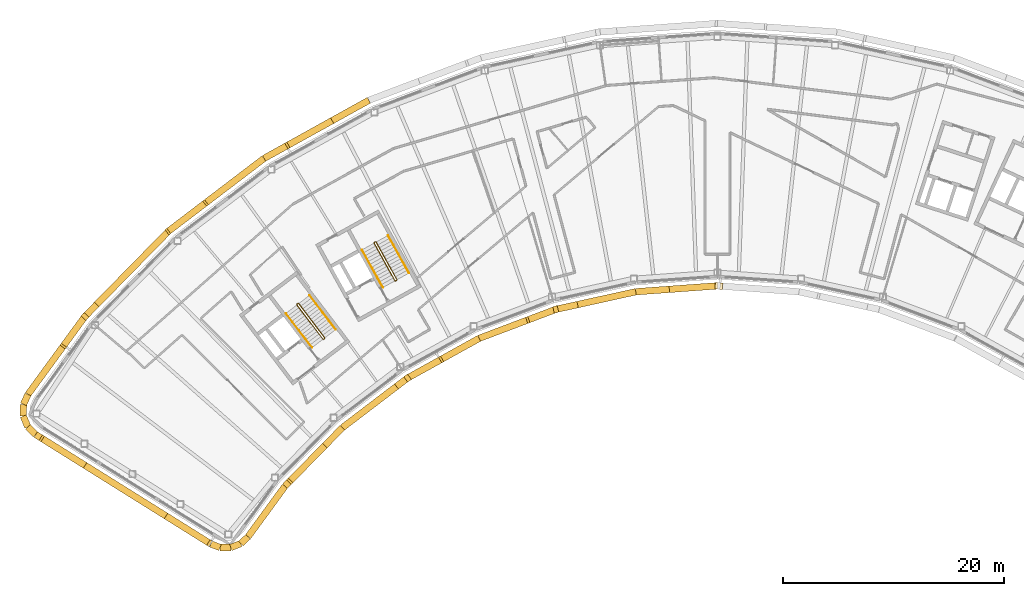
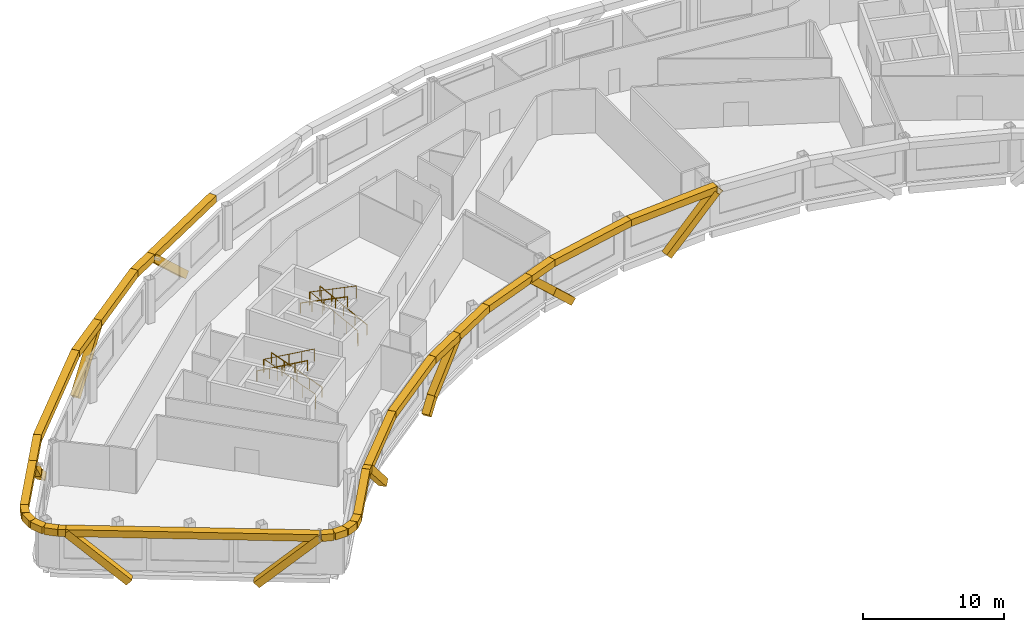
# One storey, part 14 of 17: 40 coverings, 6 railings.
"""IFC4 building model written with IfcOpenShell, lengths in metres."""

import ifcopenshell
import ifcopenshell.guid

model = None  # the IFC model being written
_history = None  # IfcOwnerHistory: only IFC2X3 demands one
_inside = {}  # id of a spatial element -> (the spatial element, [elements in it])
_under = {}  # id of a project, library or spatial element -> (it, [spatial elements below it])
_declared = {}  # id of a project -> (the project, [libraries it declares])
_typed = {}  # id of a type object -> (the type object, [elements of that type])
_made_of = {}  # id of a material, layer set ... -> (it, [elements and type objects made of it])


def new_model(schema):
    """Start an empty IFC model of exactly this schema.

    Asked for "IFC4X3", IfcOpenShell would pick the latest addendum, in which some entities
    have other attributes; the version numbers below select the first issue.
    IFC2X3 requires an IfcOwnerHistory on every rooted entity: one is made here for all.
    """
    global model, _history
    if schema == "IFC4X3":
        model = ifcopenshell.file(schema_version=(4, 3, 0, 0))
    else:
        model = ifcopenshell.file(schema=schema)
    _inside.clear()
    _under.clear()
    _declared.clear()
    _typed.clear()
    _made_of.clear()
    _history = None
    if model.schema == "IFC2X3":
        org = make("IfcOrganization", Name="unknown")
        user = make(
            "IfcPersonAndOrganization",
            ThePerson=make("IfcPerson", FamilyName="unknown"),
            TheOrganization=org,
        )
        app = make(
            "IfcApplication",
            ApplicationDeveloper=org,
            Version="unknown",
            ApplicationFullName="unknown",
            ApplicationIdentifier="unknown",
        )
        _history = make(
            "IfcOwnerHistory",
            OwningUser=user,
            OwningApplication=app,
            ChangeAction="ADDED",
            CreationDate=0,
        )
    return model


def make(cls, **values):
    """One entity of the class cls with the attributes given. An attribute that is None is left unset."""
    return model.create_entity(
        cls, **{name: value for name, value in values.items() if value is not None}
    )


def rooted(cls, **values):
    """An entity with a GlobalId (a new one), such as an element, a storey or a relation."""
    return make(cls, GlobalId=ifcopenshell.guid.new(), OwnerHistory=_history, **values)


def si_unit(unit_type, name, prefix=None):
    """IfcSIUnit, for example si_unit("LENGTHUNIT", "METRE", prefix="MILLI")."""
    return make("IfcSIUnit", UnitType=unit_type, Prefix=prefix, Name=name)


def assignment(units):
    """IfcUnitAssignment: the units of a project."""
    return None if units is None else make("IfcUnitAssignment", Units=units)


def point(xyz):
    """IfcCartesianPoint."""
    return None if xyz is None else make("IfcCartesianPoint", Coordinates=xyz)


def direction(xyz):
    """IfcDirection."""
    return None if xyz is None else make("IfcDirection", DirectionRatios=xyz)


def frame(location, z_axis=None, x_axis=None):
    """IfcAxis2Placement3D, a coordinate frame: its origin and axes. An axis left out is left unset."""
    return make(
        "IfcAxis2Placement3D",
        Location=point(location),
        Axis=direction(z_axis),
        RefDirection=direction(x_axis),
    )


def frame_2d(location, x_axis=None):
    """IfcAxis2Placement2D, a coordinate frame in the plane: its origin and x axis."""
    return make(
        "IfcAxis2Placement2D", Location=point(location), RefDirection=direction(x_axis)
    )


def origin():
    """The frame at (0, 0, 0) with its axes left unset."""
    return frame((0.0, 0.0, 0.0))


def origin_2d():
    """The frame at (0, 0) in the plane with its x axis left unset."""
    return frame_2d((0.0, 0.0))


def place(relative_to, where):
    """IfcLocalPlacement: puts the frame where relative to a parent placement (None: the world)."""
    return make(
        "IfcLocalPlacement", PlacementRelTo=relative_to, RelativePlacement=where
    )


def context(
    kind, dimensions, precision=None, world=None, true_north=None, identifier=None
):
    """IfcGeometricRepresentationContext, for example the 3D "Model" context."""
    return make(
        "IfcGeometricRepresentationContext",
        ContextIdentifier=identifier,
        ContextType=kind,
        CoordinateSpaceDimension=dimensions,
        Precision=precision,
        WorldCoordinateSystem=world,
        TrueNorth=true_north,
    )


def subcontext(parent, identifier, kind, view, scale=None):
    """IfcGeometricRepresentationSubContext, for example "Body" below "Model"."""
    return make(
        "IfcGeometricRepresentationSubContext",
        ContextIdentifier=identifier,
        ContextType=kind,
        ParentContext=parent,
        TargetScale=scale,
        TargetView=view,
    )


def project(units=None, contexts=None):
    """IfcProject with its units and contexts."""
    return rooted(
        "IfcProject",
        Name="project",
        RepresentationContexts=contexts,
        UnitsInContext=assignment(units),
    )


def spatial(cls, under=None, at=None, **own):
    """A site, building, storey or space (cls), placed at a placement, below another one or the project."""
    s = rooted(cls, ObjectPlacement=at, **own)
    if under is not None:
        _under.setdefault(under.id(), (under, []))[1].append(s)
    return s


def profile(cls, at=None, kind="AREA", **sizes):
    """A parametric profile (cls). Its sizes go by their IFC names, for example OverallWidth=200.0."""
    return make(cls, ProfileType=kind, Position=at, **sizes)


def rectangle(**sizes):
    """IfcRectangleProfileDef."""
    return profile("IfcRectangleProfileDef", **sizes)


def circle(**sizes):
    """IfcCircleProfileDef."""
    return profile("IfcCircleProfileDef", **sizes)


def extrude(swept, where, along, depth):
    """IfcExtrudedAreaSolid: the profile swept, set in the frame where, extruded along a direction by depth."""
    return make(
        "IfcExtrudedAreaSolid",
        SweptArea=swept,
        Position=where,
        ExtrudedDirection=direction(along),
        Depth=depth,
    )


def shape(context_of_items, identifier, shape_type, items):
    """IfcShapeRepresentation: the items that make up one representation, for example the "Body"."""
    return make(
        "IfcShapeRepresentation",
        ContextOfItems=context_of_items,
        RepresentationIdentifier=identifier,
        RepresentationType=shape_type,
        Items=items,
    )


def material(Name=None, Category=None):
    """IfcMaterial."""
    return make("IfcMaterial", Name=Name, Category=Category)


def material_profile(
    of_material, cross_section, Name=None, Category=None, Priority=None
):
    """IfcMaterialProfile: a cross section and its material."""
    return make(
        "IfcMaterialProfile",
        Name=Name,
        Material=of_material,
        Profile=cross_section,
        Priority=Priority,
        Category=Category,
    )


def profile_set(profiles, Name=None, composite=None):
    """IfcMaterialProfileSet."""
    return make(
        "IfcMaterialProfileSet",
        Name=Name,
        MaterialProfiles=profiles,
        CompositeProfile=composite,
    )


def made_of(thing, what):
    """Note that an element or type object is made of a material, layer set ...; save() writes the relation."""
    if what is not None:
        _made_of.setdefault(what.id(), (what, []))[1].append(thing)
    return thing


def type_object(cls, material=None, **own):
    """A type object (cls), such as IfcWallType, which elements share."""
    return made_of(rooted(cls, **own), material)


def element(
    cls,
    number,
    at=None,
    inside=None,
    cuts=None,
    type_object=None,
    material=None,
    context=None,
    identifier="Body",
    shape_type=None,
    held_by="IfcProductDefinitionShape",
    body=None,
    shapes=None,
    **own,
):
    """One element of the class cls, such as IfcWall. Its Tag is "e" and its number.

    at: its placement. inside: the storey or other place that contains it. cuts: it is an
    opening in that element (IfcRelVoidsElement). A single representation is given by context,
    identifier, shape_type and body (its items); several are given by shapes. held_by: the class
    of the entity that holds the representations. save() writes the other relations.
    """
    e = rooted(cls, Tag="e%d" % number, ObjectPlacement=at, **own)
    if body is not None:
        shapes = [shape(context, identifier, shape_type, body)]
    if shapes is not None:
        e.Representation = make(held_by, Representations=shapes)
    if inside is not None:
        _inside.setdefault(inside.id(), (inside, []))[1].append(e)
    if cuts is not None:
        rooted(
            "IfcRelVoidsElement", RelatingBuildingElement=cuts, RelatedOpeningElement=e
        )
    if type_object is not None:
        _typed.setdefault(type_object.id(), (type_object, []))[1].append(e)
    return made_of(e, material)


def aggregate(whole, parts):
    """IfcRelAggregates: a whole, such as a stair, and the parts it consists of."""
    return rooted("IfcRelAggregates", RelatingObject=whole, RelatedObjects=parts)


def save(model, path):
    """Write the relations noted so far, then the file.

    IfcRelAggregates (storeys below a building ...), IfcRelContainedInSpatialStructure (elements
    in a storey), IfcRelDefinesByType, IfcRelAssociatesMaterial and IfcRelDeclares: one each for
    every whole, place, type object, material and project.
    """
    for whole, parts in _under.values():
        aggregate(whole, parts)
    for where, things in _inside.values():
        rooted(
            "IfcRelContainedInSpatialStructure",
            RelatedElements=things,
            RelatingStructure=where,
        )
    for kind, things in _typed.values():
        rooted("IfcRelDefinesByType", RelatedObjects=things, RelatingType=kind)
    for what, things in _made_of.values():
        rooted("IfcRelAssociatesMaterial", RelatedObjects=things, RelatingMaterial=what)
    for by, libraries in _declared.values():
        rooted("IfcRelDeclares", RelatingContext=by, RelatedDefinitions=libraries)
    model.write(path)


model = new_model("IFC4")

# Units and contexts
model_context = context("Model", 3, precision=1e-05, world=origin(), true_north=direction((0.0, 1.0)))
body_context = subcontext(model_context, "Body", "Model", "MODEL_VIEW")
ifc_project = project(units=[si_unit("LENGTHUNIT", "METRE"), si_unit("AREAUNIT", "SQUARE_METRE"), si_unit("VOLUMEUNIT", "CUBIC_METRE"), si_unit("PLANEANGLEUNIT", "RADIAN"), si_unit("MASSUNIT", "GRAM", prefix="KILO")], contexts=[model_context])

# Site, building, storey
site_placement = place(None, origin())
site = spatial("IfcSite", under=ifc_project, at=site_placement, CompositionType="ELEMENT")
building_placement = place(site_placement, origin())
building = spatial("IfcBuilding", under=site, at=building_placement, Name="Tuul Gate Civic Tower", CompositionType="ELEMENT")
storey_placement = place(building_placement, frame((0.0, 0.0, 344.89990234375)))
storey = spatial("IfcBuildingStorey", under=building, at=storey_placement, Name="Level 78", CompositionType="ELEMENT", Elevation=344.89990234375)

# Railings
ifc_material_1 = material(Name="Painted steel", Category="steel")
railing_type_1 = type_object("IfcRailingType", Name="Stair guard", PredefinedType="GUARDRAIL", material=ifc_material_1)
railing_1_placement = place(storey_placement, frame((-33.382080078125, -13.515380859375, 0.0)))
element("IfcRailing", 1, at=railing_1_placement, inside=storey, type_object=railing_type_1, Name="Level 78 ST-1 stair guard 1", PredefinedType="GUARDRAIL", context=body_context, shape_type="SweptSolid", body=[
    extrude(circle(Radius=0.02392578125, at=origin_2d()), frame((0.0, 0.0, 1.076171875), z_axis=(-0.795879841968, -0.605454603706, 0.0), x_axis=(0.605454603706, -0.795879841968, 0.0)), (0.0, 0.0, 1.0), 0.10009765625),
    extrude(circle(Radius=0.02392578125, at=origin_2d()), frame((-0.07958984375, -0.060546875, 1.076171875), z_axis=(0.408676696321, 0.599019267211, 0.688592241747), x_axis=(-0.826063974707, 0.563576356576, 0.0)), (0.0, 0.0, 1.0), 0.218017578125),
    extrude(circle(Radius=0.02392578125, at=origin_2d()), frame((0.009521484375, 0.070068359375, 1.22607421875), z_axis=(-0.541824460341, 0.711645023348, 0.447199748346), x_axis=(-0.795637165283, -0.60577347352, 0.0)), (0.0, 0.0, 1.0), 4.3603515625),
    extrude(circle(Radius=0.02392578125, at=origin_2d()), frame((-2.35302734375, 3.173095703125, 3.17626953125), z_axis=(-0.990893089246, 0.134650977284, 0.0), x_axis=(-0.134650977284, -0.990893089246, 0.0)), (0.0, 0.0, 1.0), 0.07080078125),
    extrude(circle(Radius=0.02392578125, at=origin_2d()), frame((-2.423095703125, 3.1826171875, 3.17626953125), z_axis=(-0.793802879778, -0.60817512943, 0.0), x_axis=(0.60817512943, -0.793802879778, 0.0)), (0.0, 0.0, 1.0), 0.099853515625),
    extrude(circle(Radius=0.02392578125, at=origin_2d()), frame((-2.50244140625, 3.121826171875, 3.17626953125), z_axis=(-0.057447065493, -0.422751481959, 0.904423031091), x_axis=(0.990893089246, -0.134650977284, 0.0)), (0.0, 0.0, 1.0), 0.165771484375),
    extrude(circle(Radius=0.02392578125, at=origin_2d()), frame((-2.511962890625, 3.0517578125, 3.326171875), z_axis=(0.541792925989, -0.711621155064, 0.447275929392), x_axis=(0.795644365679, 0.605764016233, 0.0)), (0.0, 0.0, 1.0), 4.360107421875),
    extrude(circle(Radius=0.02099609375, at=origin_2d()), origin(), (0.0, 0.0, 1.0), 1.052001953125),
    extrude(circle(Radius=0.02099609375, at=origin_2d()), frame((-0.07958984375, -0.060546875, 0.0)), (0.0, 0.0, 1.0), 1.052001953125),
    extrude(circle(Radius=0.02099609375, at=origin_2d()), frame((0.009521484375, 0.070068359375, 0.150146484375)), (0.0, 0.0, 1.0), 1.052001953125),
    extrude(circle(Radius=0.02099609375, at=origin_2d()), frame((-0.5810546875, 0.845703125, 0.6376953125)), (0.0, 0.0, 1.0), 1.052001953125),
    extrude(circle(Radius=0.02099609375, at=origin_2d()), frame((-1.171875, 1.62158203125, 1.125)), (0.0, 0.0, 1.0), 1.052001953125),
    extrude(circle(Radius=0.02099609375, at=origin_2d()), frame((-1.762451171875, 2.3974609375, 1.612548828125)), (0.0, 0.0, 1.0), 1.052001953125),
    extrude(circle(Radius=0.02099609375, at=origin_2d()), frame((-2.35302734375, 3.173095703125, 2.10009765625)), (0.0, 0.0, 1.0), 1.052001953125),
    extrude(circle(Radius=0.02099609375, at=origin_2d()), frame((-2.423095703125, 3.1826171875, 2.10009765625)), (0.0, 0.0, 1.0), 1.052001953125),
    extrude(circle(Radius=0.02099609375, at=origin_2d()), frame((-2.50244140625, 3.121826171875, 2.10009765625)), (0.0, 0.0, 1.0), 1.052001953125),
    extrude(circle(Radius=0.02099609375, at=origin_2d()), frame((-2.511962890625, 3.0517578125, 2.25)), (0.0, 0.0, 1.0), 1.052001953125),
    extrude(circle(Radius=0.02099609375, at=origin_2d()), frame((-1.92138671875, 2.276123046875, 2.737548828125)), (0.0, 0.0, 1.0), 1.052001953125),
    extrude(circle(Radius=0.02099609375, at=origin_2d()), frame((-1.330810546875, 1.50048828125, 3.22509765625)), (0.0, 0.0, 1.0), 1.052001953125),
    extrude(circle(Radius=0.02099609375, at=origin_2d()), frame((-0.740234375, 0.724609375, 3.712646484375)), (0.0, 0.0, 1.0), 1.052001953125),
    extrude(circle(Radius=0.02099609375, at=origin_2d()), frame((-0.149658203125, -0.051025390625, 4.2001953125)), (0.0, 0.0, 1.0), 1.052001953125),
])
railing_2_placement = place(storey_placement, frame((-26.857666015625, -8.247314453125, 0.0)))
element("IfcRailing", 2, at=railing_2_placement, inside=storey, type_object=railing_type_1, Name="Level 78 ST-2 stair guard 1", PredefinedType="GUARDRAIL", context=body_context, shape_type="SweptSolid", body=[
    extrude(circle(Radius=0.02392578125, at=origin_2d()), frame((0.0, 0.0, 1.076171875), z_axis=(-0.874616555828, -0.48481530532, 0.0), x_axis=(0.48481530532, -0.874616555828, 0.0)), (0.0, 0.0, 1.0), 0.10009765625),
    extrude(circle(Radius=0.02392578125, at=origin_2d()), frame((-0.087646484375, -0.048583984375, 1.076171875), z_axis=(0.490435707169, 0.534104639999, 0.688625479244), x_axis=(-0.736576986774, 0.676353711126, 0.0)), (0.0, 0.0, 1.0), 0.218017578125),
    extrude(circle(Radius=0.02392578125, at=origin_2d()), frame((0.019287109375, 0.06787109375, 1.22607421875), z_axis=(-0.43354991378, 0.782327185242, 0.447212083348), x_axis=(-0.874667644053, -0.484723129681, 0.0)), (0.0, 0.0, 1.0), 4.3603515625),
    extrude(circle(Radius=0.02392578125, at=origin_2d()), frame((-1.87109375, 3.47900390625, 3.17626953125), z_axis=(-0.961263487578, 0.275631107549, 0.0), x_axis=(-0.275631107549, -0.961263487578, 0.0)), (0.0, 0.0, 1.0), 0.07080078125),
    extrude(circle(Radius=0.02392578125, at=origin_2d()), frame((-1.939208984375, 3.49853515625, 3.17626953125), z_axis=(-0.874042088414, -0.485850211157, 0.0), x_axis=(0.485850211157, -0.874042088414, 0.0)), (0.0, 0.0, 1.0), 0.10009765625),
    extrude(circle(Radius=0.02392578125, at=origin_2d()), frame((-2.026611328125, 3.449951171875, 3.17626953125), z_axis=(-0.117866478395, -0.409586012422, 0.90462522168), x_axis=(0.961000426733, -0.276546885391, 0.0)), (0.0, 0.0, 1.0), 0.165771484375),
    extrude(circle(Radius=0.02392578125, at=origin_2d()), frame((-2.046142578125, 3.382080078125, 3.326171875), z_axis=(0.433584522764, -0.782288604346, 0.447246018574), x_axis=(0.874641102302, 0.484771020343, 0.0)), (0.0, 0.0, 1.0), 4.3603515625),
    extrude(circle(Radius=0.02099609375, at=origin_2d()), origin(), (0.0, 0.0, 1.0), 1.052001953125),
    extrude(circle(Radius=0.02099609375, at=origin_2d()), frame((-0.087646484375, -0.048583984375, 0.0)), (0.0, 0.0, 1.0), 1.052001953125),
    extrude(circle(Radius=0.02099609375, at=origin_2d()), frame((0.019287109375, 0.06787109375, 0.150146484375)), (0.0, 0.0, 1.0), 1.052001953125),
    extrude(circle(Radius=0.02099609375, at=origin_2d()), frame((-0.453369140625, 0.920654296875, 0.6376953125)), (0.0, 0.0, 1.0), 1.052001953125),
    extrude(circle(Radius=0.02099609375, at=origin_2d()), frame((-0.92578125, 1.7734375, 1.125)), (0.0, 0.0, 1.0), 1.052001953125),
    extrude(circle(Radius=0.02099609375, at=origin_2d()), frame((-1.3984375, 2.626220703125, 1.612548828125)), (0.0, 0.0, 1.0), 1.052001953125),
    extrude(circle(Radius=0.02099609375, at=origin_2d()), frame((-1.87109375, 3.47900390625, 2.10009765625)), (0.0, 0.0, 1.0), 1.052001953125),
    extrude(circle(Radius=0.02099609375, at=origin_2d()), frame((-1.939208984375, 3.49853515625, 2.10009765625)), (0.0, 0.0, 1.0), 1.052001953125),
    extrude(circle(Radius=0.02099609375, at=origin_2d()), frame((-2.026611328125, 3.449951171875, 2.10009765625)), (0.0, 0.0, 1.0), 1.052001953125),
    extrude(circle(Radius=0.02099609375, at=origin_2d()), frame((-2.046142578125, 3.382080078125, 2.25)), (0.0, 0.0, 1.0), 1.052001953125),
    extrude(circle(Radius=0.02099609375, at=origin_2d()), frame((-1.573486328125, 2.529296875, 2.737548828125)), (0.0, 0.0, 1.0), 1.052001953125),
    extrude(circle(Radius=0.02099609375, at=origin_2d()), frame((-1.100830078125, 1.676513671875, 3.22509765625)), (0.0, 0.0, 1.0), 1.052001953125),
    extrude(circle(Radius=0.02099609375, at=origin_2d()), frame((-0.628173828125, 0.82373046875, 3.712646484375)), (0.0, 0.0, 1.0), 1.052001953125),
    extrude(circle(Radius=0.02099609375, at=origin_2d()), frame((-0.155517578125, -0.029052734375, 4.2001953125)), (0.0, 0.0, 1.0), 1.052001953125),
])
ifc_material_2 = material(Name="Painted steel", Category="steel")
railing_type_2 = type_object("IfcRailingType", Name="Stair handrail", PredefinedType="HANDRAIL", material=ifc_material_2)
railing_3_placement = place(storey_placement, frame((-32.3779296875, -12.688232421875, 0.150146484375)))
element("IfcRailing", 3, at=railing_3_placement, inside=storey, type_object=railing_type_2, Name="Level 78 ST-1 stair handrail 1", PredefinedType="HANDRAIL", context=body_context, shape_type="SweptSolid", body=[
    extrude(circle(Radius=0.02392578125, at=origin_2d()), frame((0.0, 0.0, 0.8759765625), z_axis=(-0.541824460341, 0.711645023348, 0.447199748346), x_axis=(-0.795637165283, -0.60577347352, 0.0)), (0.0, 0.0, 1.0), 4.3603515625),
    extrude(circle(Radius=0.02099609375, at=origin_2d()), origin(), (0.0, 0.0, 1.0), 0.851806640625),
    extrude(circle(Radius=0.02099609375, at=origin_2d()), frame((-0.590576171875, 0.77587890625, 0.487548828125)), (0.0, 0.0, 1.0), 0.851806640625),
    extrude(circle(Radius=0.02099609375, at=origin_2d()), frame((-1.18115234375, 1.551513671875, 0.97509765625)), (0.0, 0.0, 1.0), 0.851806640625),
    extrude(circle(Radius=0.02099609375, at=origin_2d()), frame((-1.77197265625, 2.3271484375, 1.46240234375)), (0.0, 0.0, 1.0), 0.851806640625),
    extrude(circle(Radius=0.02099609375, at=origin_2d()), frame((-2.362548828125, 3.10302734375, 1.949951171875)), (0.0, 0.0, 1.0), 0.851806640625),
])
railing_4_placement = place(storey_placement, frame((-36.888671875, -11.220703125, 2.25)))
element("IfcRailing", 4, at=railing_4_placement, inside=storey, type_object=railing_type_2, Name="Level 78 ST-1 stair handrail 2", PredefinedType="HANDRAIL", context=body_context, shape_type="SweptSolid", body=[
    extrude(circle(Radius=0.02392578125, at=origin_2d()), frame((0.0, 0.0, 0.8759765625), z_axis=(0.541810893183, -0.711627203922, 0.44724454012), x_axis=(0.795637165283, 0.60577347352, 0.0)), (0.0, 0.0, 1.0), 4.3603515625),
    extrude(circle(Radius=0.02099609375, at=origin_2d()), origin(), (0.0, 0.0, 1.0), 0.851806640625),
    extrude(circle(Radius=0.02099609375, at=origin_2d()), frame((0.590576171875, -0.77587890625, 0.487548828125)), (0.0, 0.0, 1.0), 0.851806640625),
    extrude(circle(Radius=0.02099609375, at=origin_2d()), frame((1.18115234375, -1.551513671875, 0.97509765625)), (0.0, 0.0, 1.0), 0.851806640625),
    extrude(circle(Radius=0.02099609375, at=origin_2d()), frame((1.77197265625, -2.3271484375, 1.462646484375)), (0.0, 0.0, 1.0), 0.851806640625),
    extrude(circle(Radius=0.02099609375, at=origin_2d()), frame((2.362548828125, -3.10302734375, 1.9501953125)), (0.0, 0.0, 1.0), 0.851806640625),
])
railing_5_placement = place(storey_placement, frame((-25.744873046875, -7.573486328125, 0.150146484375)))
element("IfcRailing", 5, at=railing_5_placement, inside=storey, type_object=railing_type_2, Name="Level 78 ST-2 stair handrail 1", PredefinedType="HANDRAIL", context=body_context, shape_type="SweptSolid", body=[
    extrude(circle(Radius=0.02392578125, at=origin_2d()), frame((0.0, 0.0, 0.8759765625), z_axis=(-0.433595379963, 0.782308193291, 0.447201226726), x_axis=(-0.874641102302, -0.484771020343, 0.0)), (0.0, 0.0, 1.0), 4.3603515625),
    extrude(circle(Radius=0.02099609375, at=origin_2d()), origin(), (0.0, 0.0, 1.0), 0.851806640625),
    extrude(circle(Radius=0.02099609375, at=origin_2d()), frame((-0.47265625, 0.852783203125, 0.487548828125)), (0.0, 0.0, 1.0), 0.851806640625),
    extrude(circle(Radius=0.02099609375, at=origin_2d()), frame((-0.9453125, 1.70556640625, 0.97509765625)), (0.0, 0.0, 1.0), 0.851806640625),
    extrude(circle(Radius=0.02099609375, at=origin_2d()), frame((-1.41796875, 2.558349609375, 1.46240234375)), (0.0, 0.0, 1.0), 0.851806640625),
    extrude(circle(Radius=0.02099609375, at=origin_2d()), frame((-1.890625, 3.4111328125, 1.949951171875)), (0.0, 0.0, 1.0), 0.851806640625),
])
railing_6_placement = place(storey_placement, frame((-29.9970703125, -5.47119140625, 2.25)))
element("IfcRailing", 6, at=railing_6_placement, inside=storey, type_object=railing_type_2, Name="Level 78 ST-2 stair handrail 2", PredefinedType="HANDRAIL", context=body_context, shape_type="SweptSolid", body=[
    extrude(circle(Radius=0.02392578125, at=origin_2d()), frame((0.0, 0.0, 0.8759765625), z_axis=(0.433584522764, -0.782288604346, 0.447246018574), x_axis=(0.874641102302, 0.484771020343, 0.0)), (0.0, 0.0, 1.0), 4.3603515625),
    extrude(circle(Radius=0.02099609375, at=origin_2d()), origin(), (0.0, 0.0, 1.0), 0.851806640625),
    extrude(circle(Radius=0.02099609375, at=origin_2d()), frame((0.47265625, -0.852783203125, 0.487548828125)), (0.0, 0.0, 1.0), 0.851806640625),
    extrude(circle(Radius=0.02099609375, at=origin_2d()), frame((0.9453125, -1.70556640625, 0.97509765625)), (0.0, 0.0, 1.0), 0.851806640625),
    extrude(circle(Radius=0.02099609375, at=origin_2d()), frame((1.41796875, -2.558349609375, 1.462646484375)), (0.0, 0.0, 1.0), 0.851806640625),
    extrude(circle(Radius=0.02099609375, at=origin_2d()), frame((1.890625, -3.4111328125, 1.9501953125)), (0.0, 0.0, 1.0), 0.851806640625),
])

# Coverings
ifc_material_3 = material(Name="Terracotta baguette", Category="masonry")
ifc_material_profile = material_profile(ifc_material_3, rectangle(XDim=0.60009765625, YDim=0.60009765625, at=origin_2d()), Name="Terracotta baguette screen frame")
ifc_profile_set = profile_set([ifc_material_profile], Name="Terracotta baguette")
covering_type = type_object("IfcCoveringType", Name="Terracotta baguette screen frame", PredefinedType="CLADDING", material=ifc_profile_set)
covering_1_placement = place(storey_placement, frame((-32.880615234375, 6.13134765625, -0.349853515625), z_axis=(-0.641793682446, -0.355709537739, 0.679390604832), x_axis=(0.484765303515, -0.874644270837, 0.0)))
element("IfcCovering", 7, at=covering_1_placement, inside=storey, type_object=covering_type, Name="Baguette 104", PredefinedType="CLADDING", context=body_context, shape_type="SweptSolid", body=[
    extrude(rectangle(XDim=0.60009765625, YDim=0.60009765625, at=origin_2d()), origin(), (0.0, 0.0, 1.0), 6.181884765625),
])
covering_2_placement = place(storey_placement, frame((-36.84814453125, 3.932373046875, 3.85009765625), z_axis=(-0.874590710613, -0.484861927675, 0.0), x_axis=(0.484861927675, -0.874590710613, 0.0)))
element("IfcCovering", 8, at=covering_2_placement, inside=storey, type_object=covering_type, Name="Baguette 109", PredefinedType="CLADDING", context=body_context, shape_type="SweptSolid", body=[
    extrude(rectangle(XDim=0.60009765625, YDim=0.60009765625, at=origin_2d()), origin(), (0.0, 0.0, 1.0), 2.3095703125),
])
covering_3_placement = place(storey_placement, frame((-38.8681640625, 2.8125, 3.85009765625), z_axis=(-0.795616483898, -0.605800635977, 0.0), x_axis=(0.605800635977, -0.795616483898, 0.0)))
element("IfcCovering", 9, at=covering_3_placement, inside=storey, type_object=covering_type, Name="Baguette 110", PredefinedType="CLADDING", context=body_context, shape_type="SweptSolid", body=[
    extrude(rectangle(XDim=0.60009765625, YDim=0.60009765625, at=origin_2d()), origin(), (0.0, 0.0, 1.0), 6.762939453125),
])
covering_4_placement = place(storey_placement, frame((-44.248779296875, -1.284423828125, 3.85009765625), z_axis=(-0.583816270672, -0.444522370607, -0.679380912396), x_axis=(0.605793108402, -0.79562221551, 0.0)))
element("IfcCovering", 10, at=covering_4_placement, inside=storey, type_object=covering_type, Name="Baguette 113", PredefinedType="CLADDING", context=body_context, shape_type="SweptSolid", body=[
    extrude(rectangle(XDim=0.60009765625, YDim=0.60009765625, at=origin_2d()), origin(), (0.0, 0.0, 1.0), 5.57177734375),
])
covering_5_placement = place(storey_placement, frame((-54.166015625, -10.5595703125, -0.349853515625), z_axis=(-0.513748343897, -0.523980229153, 0.679343328958), x_axis=(0.714044065429, -0.70010075891, 0.0)))
element("IfcCovering", 11, at=covering_5_placement, inside=storey, type_object=covering_type, Name="Baguette 127", PredefinedType="CLADDING", context=body_context, shape_type="SweptSolid", body=[
    extrude(rectangle(XDim=0.60009765625, YDim=0.60009765625, at=origin_2d()), origin(), (0.0, 0.0, 1.0), 1.8134765625),
])
covering_6_placement = place(storey_placement, frame((-55.09765625, -11.509765625, 0.882080078125), z_axis=(-0.433756102207, -0.593983365967, 0.677524468011), x_axis=(0.807590994458, -0.589742982723, 0.0)))
element("IfcCovering", 12, at=covering_6_placement, inside=storey, type_object=covering_type, Name="Baguette 128", PredefinedType="CLADDING", context=body_context, shape_type="SweptSolid", body=[
    extrude(rectangle(XDim=0.60009765625, YDim=0.60009765625, at=origin_2d()), origin(), (0.0, 0.0, 1.0), 4.380615234375),
])
covering_7_placement = place(storey_placement, frame((-56.997802734375, -14.11181640625, 3.85009765625), z_axis=(-0.589768947731, -0.807572032881, 0.0), x_axis=(0.807572032881, -0.589768947731, 0.0)))
element("IfcCovering", 13, at=covering_7_placement, inside=storey, type_object=covering_type, Name="Baguette 141", PredefinedType="CLADDING", context=body_context, shape_type="SweptSolid", body=[
    extrude(rectangle(XDim=0.60009765625, YDim=0.60009765625, at=origin_2d()), origin(), (0.0, 0.0, 1.0), 5.5126953125),
])
covering_8_placement = place(storey_placement, frame((-60.2490234375, -18.563720703125, 3.85009765625), z_axis=(-0.413598168861, -0.910459529422, 0.0), x_axis=(0.910459529422, -0.413598168861, 0.0)))
element("IfcCovering", 14, at=covering_8_placement, inside=storey, type_object=covering_type, Name="Baguette 142", PredefinedType="CLADDING", context=body_context, shape_type="SweptSolid", body=[
    extrude(rectangle(XDim=0.60009765625, YDim=0.60009765625, at=origin_2d()), origin(), (0.0, 0.0, 1.0), 0.988037109375),
])
covering_9_placement = place(storey_placement, frame((-60.65771484375, -19.46337890625, 3.85009765625), z_axis=(-0.014401798397, -0.999896288723, 0.0), x_axis=(0.999896288723, -0.014401798397, 0.0)))
element("IfcCovering", 15, at=covering_9_placement, inside=storey, type_object=covering_type, Name="Baguette 143", PredefinedType="CLADDING", context=body_context, shape_type="SweptSolid", body=[
    extrude(rectangle(XDim=0.60009765625, YDim=0.60009765625, at=origin_2d()), origin(), (0.0, 0.0, 1.0), 1.06787109375),
])
covering_10_placement = place(storey_placement, frame((-60.673095703125, -20.53125, 3.85009765625), z_axis=(0.38567152588, -0.92263615479, 0.0), x_axis=(0.92263615479, 0.38567152588, 0.0)))
element("IfcCovering", 16, at=covering_10_placement, inside=storey, type_object=covering_type, Name="Baguette 144", PredefinedType="CLADDING", context=body_context, shape_type="SweptSolid", body=[
    extrude(rectangle(XDim=0.60009765625, YDim=0.60009765625, at=origin_2d()), origin(), (0.0, 0.0, 1.0), 1.066650390625),
])
covering_11_placement = place(storey_placement, frame((-60.26171875, -21.515380859375, 3.85009765625), z_axis=(0.722013911671, -0.691878538006, 0.0), x_axis=(0.691878538006, 0.722013911671, 0.0)))
element("IfcCovering", 17, at=covering_11_placement, inside=storey, type_object=covering_type, Name="Baguette 145", PredefinedType="CLADDING", context=body_context, shape_type="SweptSolid", body=[
    extrude(rectangle(XDim=0.60009765625, YDim=0.60009765625, at=origin_2d()), origin(), (0.0, 0.0, 1.0), 0.98828125),
])
covering_12_placement = place(storey_placement, frame((-59.548095703125, -22.19921875, 3.85009765625), z_axis=(0.848381011335, -0.529386115804, 0.0), x_axis=(0.529386115804, 0.848381011335, 0.0)))
element("IfcCovering", 18, at=covering_12_placement, inside=storey, type_object=covering_type, Name="Baguette 146", PredefinedType="CLADDING", context=body_context, shape_type="SweptSolid", body=[
    extrude(rectangle(XDim=0.60009765625, YDim=0.60009765625, at=origin_2d()), origin(), (0.0, 0.0, 1.0), 0.537353515625),
])
covering_13_placement = place(storey_placement, frame((-59.09228515625, -22.483642578125, 3.85009765625), z_axis=(0.62165839142, -0.388462360599, -0.68017485897), x_axis=(0.529926214669, 0.848043753002, 0.0)))
element("IfcCovering", 19, at=covering_13_placement, inside=storey, type_object=covering_type, Name="Baguette 148", PredefinedType="CLADDING", context=body_context, shape_type="SweptSolid", body=[
    extrude(rectangle(XDim=0.60009765625, YDim=0.60009765625, at=origin_2d()), origin(), (0.0, 0.0, 1.0), 6.1748046875),
])
covering_14_placement = place(storey_placement, frame((-47.576171875, -29.6796875, -0.349853515625), z_axis=(0.621682648798, -0.388452812544, 0.680158140884), x_axis=(0.529901976461, 0.848058898511, 0.0)))
element("IfcCovering", 20, at=covering_14_placement, inside=storey, type_object=covering_type, Name="Baguette 156", PredefinedType="CLADDING", context=body_context, shape_type="SweptSolid", body=[
    extrude(rectangle(XDim=0.60009765625, YDim=0.60009765625, at=origin_2d()), origin(), (0.0, 0.0, 1.0), 6.175048828125),
])
covering_15_placement = place(storey_placement, frame((-43.692626953125, -32.106201171875, 3.85009765625), z_axis=(0.931801188997, -0.362969067807, 0.0), x_axis=(0.362969067807, 0.931801188997, 0.0)))
element("IfcCovering", 21, at=covering_15_placement, inside=storey, type_object=covering_type, Name="Baguette 172", PredefinedType="CLADDING", context=body_context, shape_type="SweptSolid", body=[
    extrude(rectangle(XDim=0.60009765625, YDim=0.60009765625, at=origin_2d()), origin(), (0.0, 0.0, 1.0), 0.9013671875),
])
covering_16_placement = place(storey_placement, frame((-42.852783203125, -32.433349609375, 3.85009765625), z_axis=(0.999996195982, 0.002758264332, 0.0), x_axis=(-0.002758264332, 0.999996195982, 0.0)))
element("IfcCovering", 22, at=covering_16_placement, inside=storey, type_object=covering_type, Name="Baguette 173", PredefinedType="CLADDING", context=body_context, shape_type="SweptSolid", body=[
    extrude(rectangle(XDim=0.60009765625, YDim=0.60009765625, at=origin_2d()), origin(), (0.0, 0.0, 1.0), 0.9736328125),
])
covering_17_placement = place(storey_placement, frame((-41.879150390625, -32.4306640625, 3.85009765625), z_axis=(0.929097482407, 0.369834920181, 0.0), x_axis=(-0.369834920181, 0.929097482407, 0.0)))
element("IfcCovering", 23, at=covering_17_placement, inside=storey, type_object=covering_type, Name="Baguette 174", PredefinedType="CLADDING", context=body_context, shape_type="SweptSolid", body=[
    extrude(rectangle(XDim=0.60009765625, YDim=0.60009765625, at=origin_2d()), origin(), (0.0, 0.0, 1.0), 0.974365234375),
])
covering_18_placement = place(storey_placement, frame((-40.973876953125, -32.0703125, 3.85009765625), z_axis=(0.730018523193, 0.68342735956, 0.0), x_axis=(-0.68342735956, 0.730018523193, 0.0)))
element("IfcCovering", 24, at=covering_18_placement, inside=storey, type_object=covering_type, Name="Baguette 175", PredefinedType="CLADDING", context=body_context, shape_type="SweptSolid", body=[
    extrude(rectangle(XDim=0.60009765625, YDim=0.60009765625, at=origin_2d()), origin(), (0.0, 0.0, 1.0), 0.9013671875),
])
covering_19_placement = place(storey_placement, frame((-40.31591796875, -31.454345703125, 3.85009765625), z_axis=(0.589729447422, 0.807600878432, 0.0), x_axis=(-0.807600878432, 0.589729447422, 0.0)))
element("IfcCovering", 25, at=covering_19_placement, inside=storey, type_object=covering_type, Name="Baguette 176", PredefinedType="CLADDING", context=body_context, shape_type="SweptSolid", body=[
    extrude(rectangle(XDim=0.60009765625, YDim=0.60009765625, at=origin_2d()), origin(), (0.0, 0.0, 1.0), 5.671142578125),
])
covering_20_placement = place(storey_placement, frame((-36.971435546875, -26.874267578125, 3.85009765625), z_axis=(0.699889510054, 0.714251127907, 0.0), x_axis=(-0.714251127907, 0.699889510054, 0.0)))
element("IfcCovering", 26, at=covering_20_placement, inside=storey, type_object=covering_type, Name="Baguette 177", PredefinedType="CLADDING", context=body_context, shape_type="SweptSolid", body=[
    extrude(rectangle(XDim=0.60009765625, YDim=0.60009765625, at=origin_2d()), origin(), (0.0, 0.0, 1.0), 0.510009765625),
])
covering_21_placement = place(storey_placement, frame((-36.614501953125, -26.510009765625, 3.85009765625), z_axis=(0.507851801196, 0.517935212313, -0.688352862904), x_axis=(-0.714023092705, 0.700122148688, 0.0)))
element("IfcCovering", 27, at=covering_21_placement, inside=storey, type_object=covering_type, Name="Baguette 179", PredefinedType="CLADDING", context=body_context, shape_type="SweptSolid", body=[
    extrude(rectangle(XDim=0.60009765625, YDim=0.60009765625, at=origin_2d()), origin(), (0.0, 0.0, 1.0), 6.1015625),
])
covering_22_placement = place(storey_placement, frame((-26.710205078125, -17.71826171875, -0.349853515625), z_axis=(0.57698676308, 0.439544560213, 0.688394403534), x_axis=(-0.605987035724, 0.795474520356, 0.0)))
element("IfcCovering", 28, at=covering_22_placement, inside=storey, type_object=covering_type, Name="Baguette 192", PredefinedType="CLADDING", context=body_context, shape_type="SweptSolid", body=[
    extrude(rectangle(XDim=0.60009765625, YDim=0.60009765625, at=origin_2d()), origin(), (0.0, 0.0, 1.0), 1.444091796875),
])
covering_23_placement = place(storey_placement, frame((-25.876953125, -17.08349609375, 0.644287109375), z_axis=(0.634454080717, 0.351641574275, 0.688343099553), x_axis=(-0.484765259291, 0.874644295348, 0.0)))
element("IfcCovering", 29, at=covering_23_placement, inside=storey, type_object=covering_type, Name="Baguette 193", PredefinedType="CLADDING", context=body_context, shape_type="SweptSolid", body=[
    extrude(rectangle(XDim=0.60009765625, YDim=0.60009765625, at=origin_2d()), origin(), (0.0, 0.0, 1.0), 4.6572265625),
])
covering_24_placement = place(storey_placement, frame((-22.922119140625, -15.44580078125, 3.85009765625), z_axis=(0.874618697284, 0.484811442069, 0.0), x_axis=(-0.484811442069, 0.874618697284, 0.0)))
element("IfcCovering", 30, at=covering_24_placement, inside=storey, type_object=covering_type, Name="Baguette 198", PredefinedType="CLADDING", context=body_context, shape_type="SweptSolid", body=[
    extrude(rectangle(XDim=0.60009765625, YDim=0.60009765625, at=origin_2d()), origin(), (0.0, 0.0, 1.0), 4.039794921875),
])
covering_25_placement = place(storey_placement, frame((-19.388916015625, -13.4873046875, 3.85009765625), z_axis=(0.935372913928, 0.353662991972, 0.0), x_axis=(-0.353662991972, 0.935372913928, 0.0)))
element("IfcCovering", 31, at=covering_25_placement, inside=storey, type_object=covering_type, Name="Baguette 199", PredefinedType="CLADDING", context=body_context, shape_type="SweptSolid", body=[
    extrude(rectangle(XDim=0.60009765625, YDim=0.60009765625, at=origin_2d()), origin(), (0.0, 0.0, 1.0), 4.812255859375),
])
covering_26_placement = place(storey_placement, frame((-14.8876953125, -11.785400390625, 3.85009765625), z_axis=(0.678523945568, 0.256578973707, -0.688311328936), x_axis=(-0.353699371155, 0.935359158209, 0.0)))
element("IfcCovering", 32, at=covering_26_placement, inside=storey, type_object=covering_type, Name="Baguette 202", PredefinedType="CLADDING", context=body_context, shape_type="SweptSolid", body=[
    extrude(rectangle(XDim=0.60009765625, YDim=0.60009765625, at=origin_2d()), origin(), (0.0, 0.0, 1.0), 3.592041015625),
])
covering_27_placement = place(storey_placement, frame((-12.450439453125, -10.86376953125, 1.377685546875), z_axis=(0.708382768313, 0.156132153686, -0.688343376625), x_axis=(-0.215240395152, 0.976561095014, 0.0)))
element("IfcCovering", 33, at=covering_27_placement, inside=storey, type_object=covering_type, Name="Baguette 203", PredefinedType="CLADDING", context=body_context, shape_type="SweptSolid", body=[
    extrude(rectangle(XDim=0.60009765625, YDim=0.60009765625, at=origin_2d()), origin(), (0.0, 0.0, 1.0), 2.509765625),
])
covering_28_placement = place(storey_placement, frame((-1.96044921875, -9.031982421875, -0.349853515625), z_axis=(0.723483057859, 0.05244911867, 0.688346827509), x_axis=(-0.072305541975, 0.997382528722, 0.0)))
element("IfcCovering", 34, at=covering_28_placement, inside=storey, type_object=covering_type, Name="Baguette 218", PredefinedType="CLADDING", context=body_context, shape_type="SweptSolid", body=[
    extrude(rectangle(XDim=0.60009765625, YDim=0.60009765625, at=origin_2d()), origin(), (0.0, 0.0, 1.0), 5.7392578125),
])
covering_29_placement = place(storey_placement, frame((2.19189453125, -8.73095703125, 3.600830078125), z_axis=(0.723440457891, -0.052589334311, 0.688380901684), x_axis=(0.072502073076, 0.997368261677, 0.0)))
element("IfcCovering", 35, at=covering_29_placement, inside=storey, type_object=covering_type, Name="Baguette 219", PredefinedType="CLADDING", context=body_context, shape_type="SweptSolid", body=[
    extrude(rectangle(XDim=0.60009765625, YDim=0.60009765625, at=origin_2d()), origin(), (0.0, 0.0, 1.0), 0.362060546875),
])
covering_30_placement = place(storey_placement, frame((-29.377197265625, 8.0732421875, 3.85009765625), z_axis=(-0.874636810564, -0.484778763569, 0.0), x_axis=(0.484778763569, -0.874636810564, 0.0)))
element("IfcCovering", 36, at=covering_30_placement, inside=storey, type_object=covering_type, Name="Baguette 428", PredefinedType="CLADDING", context=body_context, shape_type="SweptSolid", body=[
    extrude(rectangle(XDim=0.60009765625, YDim=0.60009765625, at=origin_2d()), origin(), (0.0, 0.0, 1.0), 8.541748046875),
])
covering_31_placement = place(storey_placement, frame((-44.248779296875, -1.284423828125, 3.85009765625), z_axis=(-0.79562221551, -0.605793108402, 0.0), x_axis=(0.605793108402, -0.79562221551, 0.0)))
element("IfcCovering", 37, at=covering_31_placement, inside=storey, type_object=covering_type, Name="Baguette 429", PredefinedType="CLADDING", context=body_context, shape_type="SweptSolid", body=[
    extrude(rectangle(XDim=0.60009765625, YDim=0.60009765625, at=origin_2d()), origin(), (0.0, 0.0, 1.0), 4.088623046875),
])
covering_32_placement = place(storey_placement, frame((-47.501708984375, -3.76123046875, 3.85009765625), z_axis=(-0.700040591401, -0.714103053061, 0.0), x_axis=(0.714103053061, -0.700040591401, 0.0)))
element("IfcCovering", 38, at=covering_32_placement, inside=storey, type_object=covering_type, Name="Baguette 430", PredefinedType="CLADDING", context=body_context, shape_type="SweptSolid", body=[
    extrude(rectangle(XDim=0.60009765625, YDim=0.60009765625, at=origin_2d()), origin(), (0.0, 0.0, 1.0), 10.850830078125),
])
covering_33_placement = place(storey_placement, frame((-55.09765625, -11.509765625, 3.85009765625), z_axis=(-0.589742982723, -0.807590994458, 0.0), x_axis=(0.807590994458, -0.589742982723, 0.0)))
element("IfcCovering", 39, at=covering_33_placement, inside=storey, type_object=covering_type, Name="Baguette 431", PredefinedType="CLADDING", context=body_context, shape_type="SweptSolid", body=[
    extrude(rectangle(XDim=0.60009765625, YDim=0.60009765625, at=origin_2d()), origin(), (0.0, 0.0, 1.0), 3.221923828125),
])
covering_34_placement = place(storey_placement, frame((-59.09228515625, -22.483642578125, 3.85009765625), z_axis=(0.848051326016, -0.529914095342, 0.0), x_axis=(0.529914095342, 0.848051326016, 0.0)))
element("IfcCovering", 40, at=covering_34_placement, inside=storey, type_object=covering_type, Name="Baguette 432", PredefinedType="CLADDING", context=body_context, shape_type="SweptSolid", body=[
    extrude(rectangle(XDim=0.60009765625, YDim=0.60009765625, at=origin_2d()), origin(), (0.0, 0.0, 1.0), 18.106201171875),
])
covering_35_placement = place(storey_placement, frame((-36.614501953125, -26.510009765625, 3.85009765625), z_axis=(0.700127594566, 0.71401775281, 0.0), x_axis=(-0.71401775281, 0.700127594566, 0.0)))
element("IfcCovering", 41, at=covering_35_placement, inside=storey, type_object=covering_type, Name="Baguette 433", PredefinedType="CLADDING", context=body_context, shape_type="SweptSolid", body=[
    extrude(rectangle(XDim=0.60009765625, YDim=0.60009765625, at=origin_2d()), origin(), (0.0, 0.0, 1.0), 6.907470703125),
])
covering_36_placement = place(storey_placement, frame((-31.7783203125, -21.577880859375, 3.85009765625), z_axis=(0.795554853025, 0.605881569144, 0.0), x_axis=(-0.605881569144, 0.795554853025, 0.0)))
element("IfcCovering", 42, at=covering_36_placement, inside=storey, type_object=covering_type, Name="Baguette 434", PredefinedType="CLADDING", context=body_context, shape_type="SweptSolid", body=[
    extrude(rectangle(XDim=0.60009765625, YDim=0.60009765625, at=origin_2d()), origin(), (0.0, 0.0, 1.0), 7.41796875),
])
covering_37_placement = place(storey_placement, frame((-25.876953125, -17.08349609375, 3.85009765625), z_axis=(0.874644295348, 0.484765259291, 0.0), x_axis=(-0.484765259291, 0.874644295348, 0.0)))
element("IfcCovering", 43, at=covering_37_placement, inside=storey, type_object=covering_type, Name="Baguette 435", PredefinedType="CLADDING", context=body_context, shape_type="SweptSolid", body=[
    extrude(rectangle(XDim=0.60009765625, YDim=0.60009765625, at=origin_2d()), origin(), (0.0, 0.0, 1.0), 3.37841796875),
])
covering_38_placement = place(storey_placement, frame((-14.8876953125, -11.785400390625, 3.85009765625), z_axis=(0.935359158209, 0.353699371155, 0.0), x_axis=(-0.353699371155, 0.935359158209, 0.0)))
element("IfcCovering", 44, at=covering_38_placement, inside=storey, type_object=covering_type, Name="Baguette 436", PredefinedType="CLADDING", context=body_context, shape_type="SweptSolid", body=[
    extrude(rectangle(XDim=0.60009765625, YDim=0.60009765625, at=origin_2d()), origin(), (0.0, 0.0, 1.0), 2.605712890625),
])
for number, where, z_axis, x_axis, name in (
    (45, (-12.450439453125, -10.86376953125, 3.85009765625), (0.976558886135, 0.215250416748, 0.0), (-0.215250416748, 0.976558886135, 0.0), "Baguette 437"),
    (46, (-5.20654296875, -9.26708984375, 3.85009765625), (0.997384658444, 0.072276158591, 0.0), (-0.072276158591, 0.997384658444, 0.0), "Baguette 438"),
):
    element("IfcCovering", number, at=place(storey_placement, frame(where, z_axis=z_axis, x_axis=x_axis)), inside=storey, type_object=covering_type, Name=name, PredefinedType="CLADDING", context=body_context, shape_type="SweptSolid", body=[
        extrude(rectangle(XDim=0.60009765625, YDim=0.60009765625, at=origin_2d()), origin(), (0.0, 0.0, 1.0), 7.417724609375),
    ])

save(model, "model.ifc")
